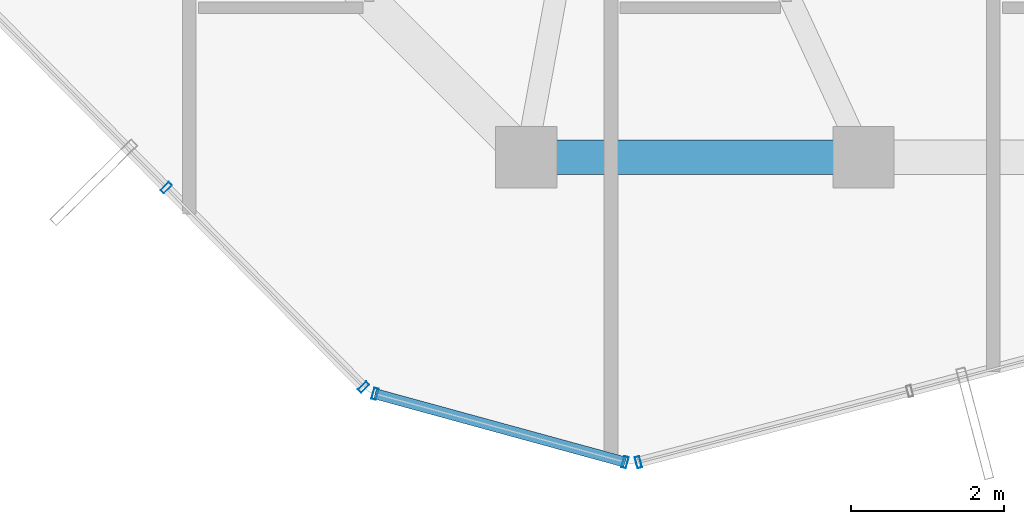
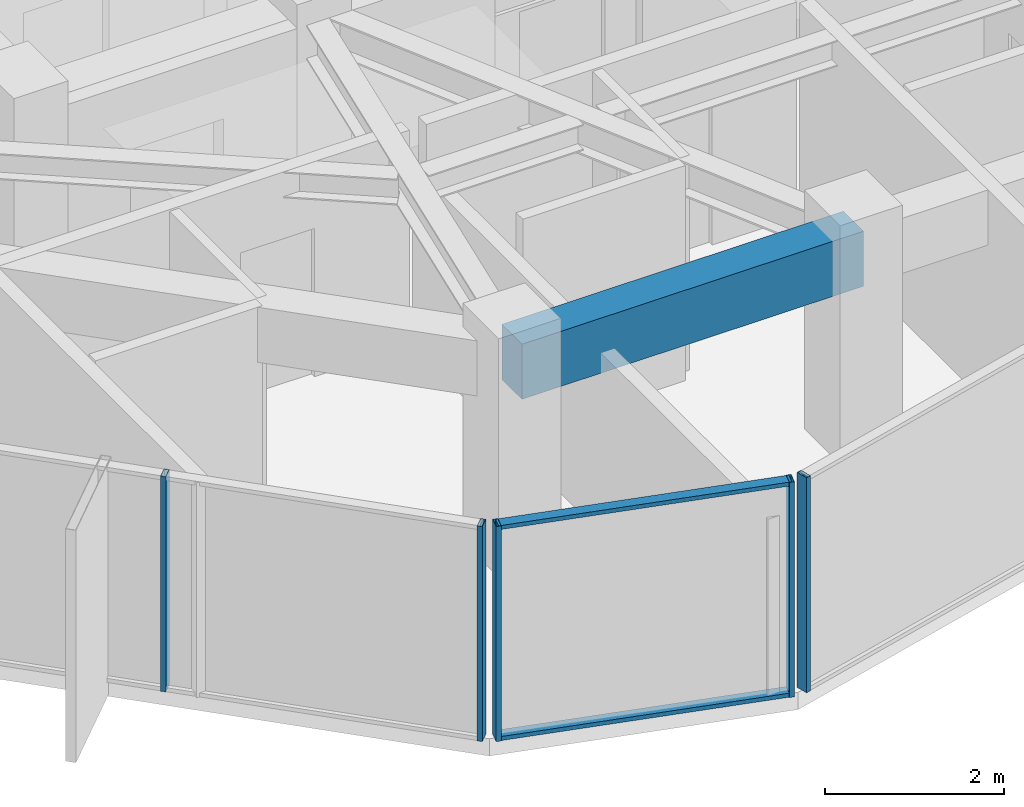
# One storey, part 4 of 29: 7 members, 1 beam, 3 elements without a shape of their own.
"""IFC4 building model written with IfcOpenShell, lengths in metres."""

from ifc_helpers import new_model, si_unit, direction, frame, origin, origin_2d, place, context, subcontext, project, spatial, rectangle, hollow_rectangle, extrude, source, transform, mapped, material, layer, layer_set, material_profile, profile_set, type_object, element, aggregate, save


model = new_model("IFC4")

# Units and contexts
model_context = context("Model", 3, precision=1e-05, world=origin(), true_north=direction((0.0, 1.0)))
body_context = subcontext(model_context, "Body", "Model", "MODEL_VIEW")
ifc_project = project(units=[si_unit("LENGTHUNIT", "METRE"), si_unit("AREAUNIT", "SQUARE_METRE"), si_unit("VOLUMEUNIT", "CUBIC_METRE"), si_unit("PLANEANGLEUNIT", "RADIAN"), si_unit("MASSUNIT", "GRAM", prefix="KILO")], contexts=[model_context])

# Site, building, storey
site_placement = place(None, origin())
site = spatial("IfcSite", under=ifc_project, at=site_placement, CompositionType="ELEMENT")
building_placement = place(site_placement, origin())
building = spatial("IfcBuilding", under=site, at=building_placement, Name="Veraguas Prism Commons", CompositionType="ELEMENT")
storey_placement = place(building_placement, frame((0.0, 0.0, 261.0)))
storey = spatial("IfcBuildingStorey", under=building, at=storey_placement, Name="L74", CompositionType="ELEMENT", Elevation=261.0)

# Beam
ifc_material_1 = material(Name="Concrete C50/60", Category="concrete")
ifc_material_profile_1 = material_profile(ifc_material_1, rectangle(XDim=0.449951171875, YDim=0.75, at=origin_2d()), Name="RC450X750")
ifc_profile_set_1 = profile_set([ifc_material_profile_1], Name="Concrete C50/60")
beam_type = type_object("IfcBeamType", Name="Perimeter Spandrel Upper RC 450x750", PredefinedType="SPANDREL", material=ifc_profile_set_1)
beam_placement = place(storey_placement, frame((19.60009765625, 10.199951171875, 2.554931640625), z_axis=(1.0, 0.0, 0.0), x_axis=(0.0, 1.0, 0.0)))
element("IfcBeam", 1, at=beam_placement, inside=storey, type_object=beam_type, Name="Perimeter Spandrel Beam L74-SP10", PredefinedType="SPANDREL", context=body_context, shape_type="SweptSolid", body=[
    extrude(rectangle(XDim=0.449951171875, YDim=0.75, at=origin_2d()), origin(), (0.0, 0.0, 1.0), 4.39990234375),
])

# Curtain wall, members
ifc_material_2 = material(Name="Anodised aluminium EN AW-6063 T6", Category="aluminium")
ifc_layer = layer(ifc_material_2, 0.14990234375, Name="Unitised Flush Curtain Wall Zone 4", Category="aluminium")
ifc_layer_set = layer_set([ifc_layer], Name="Anodised aluminium EN AW-6063 T6")
curtain_wall_type = type_object("IfcCurtainWallType", Name="Unitised Flush Curtain Wall Zone 4", PredefinedType="NOTDEFINED", material=ifc_layer_set)
curtain_wall_1_placement = place(storey_placement, origin())
curtain_wall_1 = element("IfcCurtainWall", 2, at=curtain_wall_1_placement, inside=storey, type_object=curtain_wall_type, Name="Chamfer Curtain Wall L74-C5", PredefinedType="NOTDEFINED")
ifc_material_profile_2 = material_profile(ifc_material_2, hollow_rectangle(XDim=0.054931640625, YDim=0.135009765625, WallThickness=0.0029296875, at=origin_2d()), Name="AL55X135X3")
ifc_profile_set_2 = profile_set([ifc_material_profile_2], Name="Anodised aluminium EN AW-6063 T6")
member_type_1 = type_object("IfcMemberType", Name="Curtain Wall Transom Standard AL 55x135x3", PredefinedType="USERDEFINED", material=ifc_profile_set_2)
shared_shape_1 = source(origin(), body_context, "Body", "SweptSolid", [
    extrude(hollow_rectangle(XDim=0.054931640625, YDim=0.135009765625, WallThickness=0.0029296875, at=origin_2d()), origin(), (0.0, 0.0, 1.0), 3.382568359375),
])
member_1_placement = place(storey_placement, frame((17.62646484375, 7.111572265625, 0.027587890625), z_axis=(0.964556990279, -0.26387461512, 0.0), x_axis=(0.0, 0.0, 1.0)))
member_1 = element("IfcMember", 3, at=member_1_placement, type_object=member_type_1, Name="CW-Z4 Transom 1", ObjectType="TRANSOM", PredefinedType="USERDEFINED", context=body_context, shape_type="MappedRepresentation", body=[
    mapped(shared_shape_1, transform((0.0, 0.0, 0.0), scale=1.0)),
])
member_2_placement = place(storey_placement, frame((17.62646484375, 7.111572265625, 2.902587890625), z_axis=(0.964556990279, -0.26387461512, 0.0), x_axis=(0.0, 0.0, 1.0)))
member_2 = element("IfcMember", 4, at=member_2_placement, type_object=member_type_1, Name="CW-Z4 Transom 2", ObjectType="TRANSOM", PredefinedType="USERDEFINED", context=body_context, shape_type="MappedRepresentation", body=[
    mapped(shared_shape_1, transform((0.0, 0.0, 0.0), scale=1.0)),
])

curtain_wall_2_placement = place(storey_placement, origin())
curtain_wall_2 = element("IfcCurtainWall", 5, at=curtain_wall_2_placement, inside=storey, type_object=curtain_wall_type, Name="Tower Facade Curtain Wall L74-F4", PredefinedType="NOTDEFINED")
ifc_material_profile_3 = material_profile(ifc_material_2, hollow_rectangle(XDim=0.06005859375, YDim=0.14990234375, WallThickness=0.0029296875, at=origin_2d()), Name="AL60X150X3")
ifc_profile_set_3 = profile_set([ifc_material_profile_3], Name="Anodised aluminium EN AW-6063 T6")
member_type_2 = type_object("IfcMemberType", Name="Curtain Wall Mullion Upper AL 60x150x3", PredefinedType="MULLION", material=ifc_profile_set_3)
shared_shape_2 = source(origin(), body_context, "Body", "SweptSolid", [
    extrude(hollow_rectangle(XDim=0.06005859375, YDim=0.14990234375, WallThickness=0.0029296875, at=origin_2d()), origin(), (0.0, 0.0, 1.0), 2.929931640625),
])
member_3_placement = place(storey_placement, frame((14.90087890625, 9.802001953125, 0.0), z_axis=(0.0, 0.0, 1.0), x_axis=(0.703392221648, -0.710801929179, 0.0)))
member_3 = element("IfcMember", 6, at=member_3_placement, type_object=member_type_2, Name="CW-Z4 Mullion 4", PredefinedType="MULLION", context=body_context, shape_type="MappedRepresentation", body=[
    mapped(shared_shape_2, transform((0.0, 0.0, 0.0), scale=1.0)),
])
member_4_placement = place(storey_placement, frame((17.476318359375, 7.19921875, 0.0), z_axis=(0.0, 0.0, 1.0), x_axis=(0.703392221648, -0.710801929179, 0.0)))
member_4 = element("IfcMember", 7, at=member_4_placement, type_object=member_type_2, Name="CW-Z4 Mullion 5", PredefinedType="MULLION", context=body_context, shape_type="MappedRepresentation", body=[
    mapped(shared_shape_2, transform((0.0, 0.0, 0.0), scale=1.0)),
])
aggregate(curtain_wall_2, [member_3, member_4])

# Curtain wall, member
curtain_wall_3_placement = place(storey_placement, origin())
curtain_wall_3 = element("IfcCurtainWall", 8, at=curtain_wall_3_placement, inside=storey, type_object=curtain_wall_type, Name="Tower Facade Curtain Wall L74-F5", PredefinedType="NOTDEFINED")
member_5_placement = place(storey_placement, frame((21.06298828125, 6.218017578125, 0.0), z_axis=(0.0, 0.0, 1.0), x_axis=(0.967265981188, 0.253764697381, 0.0)))
member_5 = element("IfcMember", 9, at=member_5_placement, type_object=member_type_2, Name="CW-Z4 Mullion 1", PredefinedType="MULLION", context=body_context, shape_type="MappedRepresentation", body=[
    mapped(shared_shape_2, transform((0.0, 0.0, 0.0), scale=1.0)),
])
aggregate(curtain_wall_3, [member_5])

# Member
member_6_placement = place(storey_placement, frame((17.62646484375, 7.111572265625, 0.0), z_axis=(0.0, 0.0, 1.0), x_axis=(0.964546825138, -0.263911769569, 0.0)))
member_6 = element("IfcMember", 10, at=member_6_placement, type_object=member_type_2, Name="CW-Z4 Mullion 1", PredefinedType="MULLION", context=body_context, shape_type="MappedRepresentation", body=[
    mapped(shared_shape_2, transform((0.0, 0.0, 0.0), scale=1.0)),
])

member_7_placement = place(storey_placement, frame((20.88916015625, 6.218994140625, 0.0), z_axis=(0.0, 0.0, 1.0), x_axis=(0.964546825138, -0.263911769569, 0.0)))
member_7 = element("IfcMember", 11, at=member_7_placement, type_object=member_type_2, Name="CW-Z4 Mullion 2", PredefinedType="MULLION", context=body_context, shape_type="MappedRepresentation", body=[
    mapped(shared_shape_2, transform((0.0, 0.0, 0.0), scale=1.0)),
])

aggregate(curtain_wall_1, [member_6, member_7, member_1, member_2])

save(model, "model.ifc")
